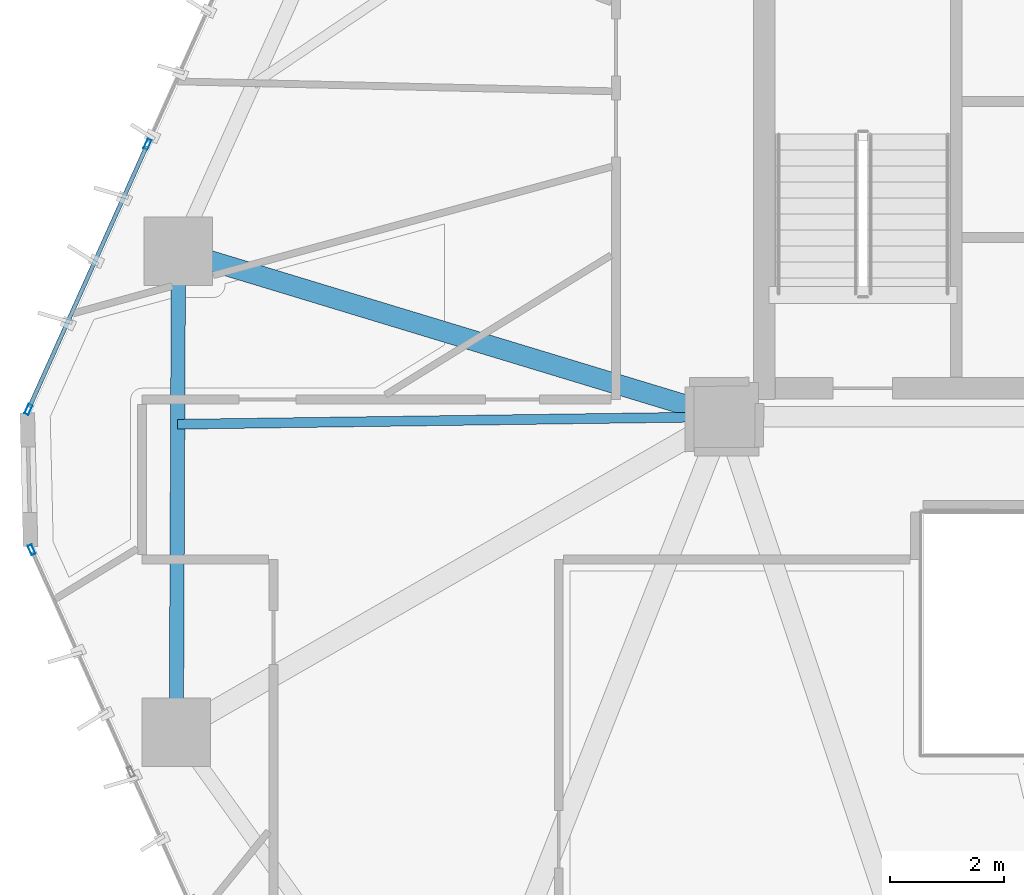
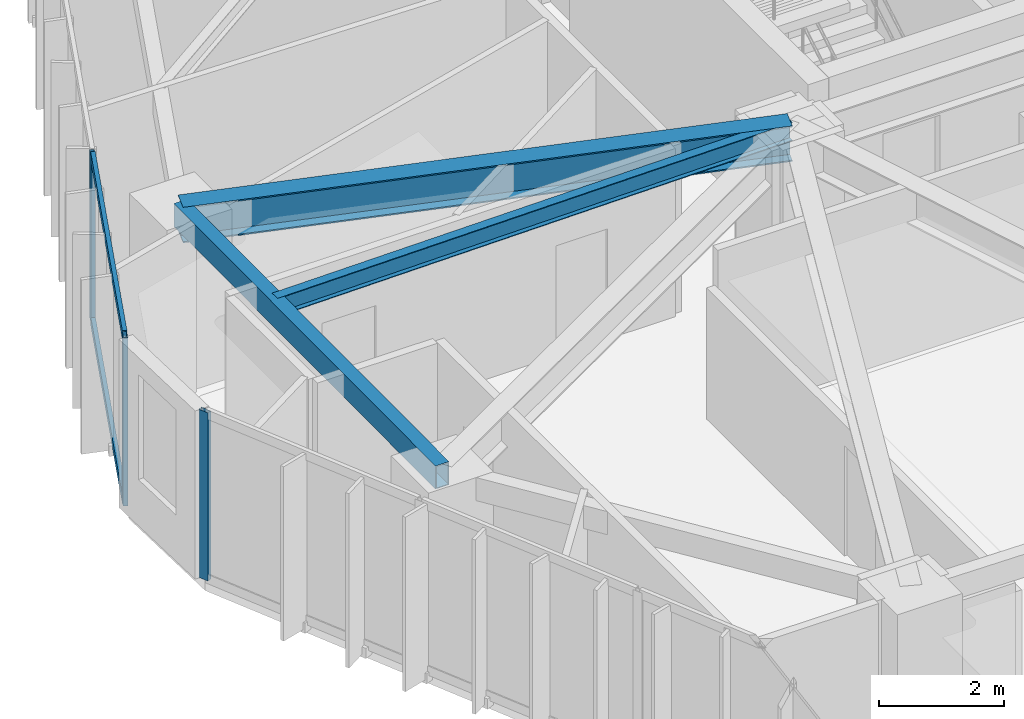
# One storey, part 7 of 22: 5 members, 3 beams, 2 elements without a shape of their own.
"""IFC4 building model written with IfcOpenShell, lengths in metres."""

from ifc_helpers import new_model, si_unit, direction, frame, origin, origin_2d, place, context, subcontext, project, spatial, hollow_rectangle, i_section, extrude, source, transform, mapped, material, layer, layer_set, material_profile, profile_set, type_object, type_shapes, element, aggregate, save


model = new_model("IFC4")

# Units and contexts
model_context = context("Model", 3, precision=1e-05, world=origin(), true_north=direction((0.0, 1.0)))
body_context = subcontext(model_context, "Body", "Model", "MODEL_VIEW")
ifc_project = project(units=[si_unit("LENGTHUNIT", "METRE"), si_unit("AREAUNIT", "SQUARE_METRE"), si_unit("VOLUMEUNIT", "CUBIC_METRE"), si_unit("PLANEANGLEUNIT", "RADIAN"), si_unit("MASSUNIT", "GRAM", prefix="KILO")], contexts=[model_context])

# Site, building, storey
site_placement = place(None, origin())
site = spatial("IfcSite", under=ifc_project, at=site_placement, CompositionType="ELEMENT")
building_placement = place(site_placement, origin())
building = spatial("IfcBuilding", under=site, at=building_placement, Name="Talar Marvaseh", CompositionType="ELEMENT")
storey_placement = place(building_placement, frame((0.0, 0.0, 154.199951171875)))
storey = spatial("IfcBuildingStorey", under=building, at=storey_placement, Name="L40", CompositionType="ELEMENT", Elevation=154.199951171875)

# Beams
ifc_material_1 = material(Name="Steel S355", Category="steel")
ifc_material_profile_1 = material_profile(ifc_material_1, hollow_rectangle(XDim=0.25, YDim=0.449951171875, WallThickness=0.01611328125, at=origin_2d()), Name="RHS450x250x16")
ifc_profile_set_1 = profile_set([ifc_material_profile_1], Name="Steel S355")
beam_type_1 = type_object("IfcBeamType", Name="Zone 2 Perimeter Spandrel Beam RHS450x250x16", PredefinedType="SPANDREL", material=ifc_profile_set_1)
beam_1_placement = place(storey_placement, frame((9.10107421875, 19.97705078125, 3.054931640625), z_axis=(0.004375628226, 0.999990426893, 0.0), x_axis=(-0.999990426893, 0.004375628226, 0.0)))
element("IfcBeam", 1, at=beam_1_placement, inside=storey, type_object=beam_type_1, Name="L40 Zone 2 Perimeter Spandrel Beam RHS450x250x16", PredefinedType="SPANDREL", context=body_context, shape_type="SweptSolid", body=[
    extrude(hollow_rectangle(XDim=0.25, YDim=0.449951171875, WallThickness=0.01611328125, at=origin_2d()), origin(), (0.0, 0.0, 1.0), 8.425048828125),
])
ifc_material_profile_2 = material_profile(ifc_material_1, i_section(OverallWidth=0.35498046875, OverallDepth=0.695068359375, WebThickness=0.015380859375, FlangeThickness=0.02490234375, at=origin_2d()), Name="W690x217")
ifc_profile_set_2 = profile_set([ifc_material_profile_2], Name="Steel S355")
beam_type_2 = type_object("IfcBeamType", Name="Zone 2 Radial Floor Girder W690x217", PredefinedType="BEAM", material=ifc_profile_set_2)
beam_2_placement = place(storey_placement, frame((9.137939453125, 28.402099609375, 2.9326171875), z_axis=(0.956898764921, -0.290421682546, 0.0), x_axis=(0.290421682546, 0.956898764921, 0.0)))
element("IfcBeam", 2, at=beam_2_placement, inside=storey, type_object=beam_type_2, Name="L40 Zone 2 Radial Floor Girder W690x217", PredefinedType="BEAM", context=body_context, shape_type="SweptSolid", body=[
    extrude(i_section(OverallWidth=0.35498046875, OverallDepth=0.695068359375, WebThickness=0.015380859375, FlangeThickness=0.02490234375, at=origin_2d()), origin(), (0.0, 0.0, 1.0), 9.99267578125),
])
ifc_material_profile_3 = material_profile(ifc_material_1, i_section(OverallWidth=0.172119140625, OverallDepth=0.35791015625, WebThickness=0.0078125, FlangeThickness=0.01318359375, at=origin_2d()), Name="W360x57")
ifc_profile_set_3 = profile_set([ifc_material_profile_3], Name="Steel S355")
beam_type_3 = type_object("IfcBeamType", Name="Zone 2 Secondary Floor Joist W360x57", PredefinedType="JOIST", material=ifc_profile_set_3)
beam_3_placement = place(storey_placement, frame((9.124755859375, 25.368896484375, 3.10107421875), z_axis=(0.999906277829, 0.013690710637, 0.0), x_axis=(-0.013690710637, 0.999906277829, 0.0)))
element("IfcBeam", 3, at=beam_3_placement, inside=storey, type_object=beam_type_3, Name="L40 Zone 2 Secondary Floor Joist W360x57", PredefinedType="JOIST", context=body_context, shape_type="SweptSolid", body=[
    extrude(i_section(OverallWidth=0.172119140625, OverallDepth=0.35791015625, WebThickness=0.0078125, FlangeThickness=0.01318359375, at=origin_2d()), origin(), (0.0, 0.0, 1.0), 9.576171875),
])

# Curtain wall, members
ifc_material_2 = material(Name="Architectural Aluminium", Category="aluminium")
ifc_layer = layer(ifc_material_2, 0.199951171875)
ifc_layer_set = layer_set([ifc_layer], Name="Architectural Aluminium")
curtain_wall_type = type_object("IfcCurtainWallType", Name="Unitised Acoustic Library Curtain Wall Z2", PredefinedType="NOTDEFINED", material=ifc_layer_set)
curtain_wall_1_placement = place(storey_placement, origin())
curtain_wall_1 = element("IfcCurtainWall", 4, at=curtain_wall_1_placement, inside=storey, type_object=curtain_wall_type, Name="L40 Unitised Acoustic Library Curtain Wall Z2", PredefinedType="NOTDEFINED")
ifc_material_profile_4 = material_profile(ifc_material_2, hollow_rectangle(XDim=0.074951171875, YDim=0.179931640625, WallThickness=0.0048828125, at=origin_2d()), Name="RHS180x75x5")
ifc_profile_set_4 = profile_set([ifc_material_profile_4], Name="Architectural Aluminium")
member_type_1 = type_object("IfcMemberType", Name="Unitised Curtain Wall Transom RHS180x75x5", PredefinedType="USERDEFINED", material=ifc_profile_set_4)
shared_shape_1 = source(origin(), body_context, "Body", "SweptSolid", [
    extrude(hollow_rectangle(XDim=0.074951171875, YDim=0.179931640625, WallThickness=0.0048828125, at=origin_2d()), origin(), (0.0, 0.0, 1.0), 5.017578125),
])
type_shapes(member_type_1, [shared_shape_1])
member_1_placement = place(storey_placement, frame((6.526123046875, 25.662109375, 0.03759765625), z_axis=(0.409652384019, 0.912241702767, 0.0), x_axis=(-0.912241702767, 0.409652384019, 0.0)))
member_1 = element("IfcMember", 5, at=member_1_placement, type_object=member_type_1, Name="CW-Z2 transom 1.1", ObjectType="TRANSOM", PredefinedType="USERDEFINED", context=body_context, shape_type="MappedRepresentation", body=[
    mapped(shared_shape_1, transform((0.0, 0.0, 0.0), x_axis=(1.0, 0.0, 0.0), y_axis=(0.0, 1.0, 0.0), z_axis=(0.0, 0.0, 1.0), scale=1.0)),
])
member_2_placement = place(storey_placement, frame((6.526123046875, 25.662109375, 3.242431640625), z_axis=(0.409652384019, 0.912241702767, 0.0), x_axis=(-0.912241702767, 0.409652384019, 0.0)))
member_2 = element("IfcMember", 6, at=member_2_placement, type_object=member_type_1, Name="CW-Z2 transom 1.2", ObjectType="TRANSOM", PredefinedType="USERDEFINED", context=body_context, shape_type="MappedRepresentation", body=[
    mapped(shared_shape_1, transform((0.0, 0.0, 0.0), x_axis=(1.0, 0.0, 0.0), y_axis=(0.0, 1.0, 0.0), z_axis=(0.0, 0.0, 1.0), scale=1.0)),
])

# Curtain wall, member
curtain_wall_2_placement = place(storey_placement, origin())
curtain_wall_2 = element("IfcCurtainWall", 7, at=curtain_wall_2_placement, inside=storey, type_object=curtain_wall_type, Name="L40 Unitised Acoustic Library Curtain Wall Z2", PredefinedType="NOTDEFINED")
ifc_material_profile_5 = material_profile(ifc_material_2, hollow_rectangle(XDim=0.074951171875, YDim=0.179931640625, WallThickness=0.0048828125, at=origin_2d()), Name="RHS180x75x5")
ifc_profile_set_5 = profile_set([ifc_material_profile_5], Name="Architectural Aluminium")
member_type_2 = type_object("IfcMemberType", Name="Unitised Curtain Wall Standard Mullion RHS180x75x5", PredefinedType="MULLION", material=ifc_profile_set_5)
shared_shape_2 = source(origin(), body_context, "Body", "SweptSolid", [
    extrude(hollow_rectangle(XDim=0.074951171875, YDim=0.179931640625, WallThickness=0.0048828125, at=origin_2d()), origin(), (0.0, 0.0, 1.0), 3.280029296875),
])
type_shapes(member_type_2, [shared_shape_2])
member_3_placement = place(storey_placement, frame((6.56689453125, 23.170166015625, 0.0), z_axis=(0.0, 0.0, 1.0), x_axis=(-0.912861099271, -0.408270270087, 0.0)))
member_3 = element("IfcMember", 8, at=member_3_placement, type_object=member_type_2, Name="CW-Z2 mullion 5", PredefinedType="MULLION", context=body_context, shape_type="MappedRepresentation", body=[
    mapped(shared_shape_2, transform((0.0, 0.0, 0.0), x_axis=(1.0, 0.0, 0.0), y_axis=(0.0, 1.0, 0.0), z_axis=(0.0, 0.0, 1.0), scale=1.0)),
])
aggregate(curtain_wall_2, [member_3])

# Member
member_4_placement = place(storey_placement, frame((6.5107421875, 25.6279296875, 0.0), z_axis=(0.0, 0.0, 1.0), x_axis=(-0.912247532518, 0.409639401688, 0.0)))
member_4 = element("IfcMember", 9, at=member_4_placement, type_object=member_type_2, Name="CW-Z2 mullion 1", PredefinedType="MULLION", context=body_context, shape_type="MappedRepresentation", body=[
    mapped(shared_shape_2, transform((0.0, 0.0, 0.0), x_axis=(1.0, 0.0, 0.0), y_axis=(0.0, 1.0, 0.0), z_axis=(0.0, 0.0, 1.0), scale=1.0)),
])

member_5_placement = place(storey_placement, frame((8.596923828125, 30.273681640625, 0.0), z_axis=(0.0, 0.0, 1.0), x_axis=(-0.912247532518, 0.409639401688, 0.0)))
member_5 = element("IfcMember", 10, at=member_5_placement, type_object=member_type_2, Name="CW-Z2 mullion 2", PredefinedType="MULLION", context=body_context, shape_type="MappedRepresentation", body=[
    mapped(shared_shape_2, transform((0.0, 0.0, 0.0), x_axis=(1.0, 0.0, 0.0), y_axis=(0.0, 1.0, 0.0), z_axis=(0.0, 0.0, 1.0), scale=1.0)),
])

aggregate(curtain_wall_1, [member_4, member_5, member_1, member_2])

save(model, "model.ifc")
